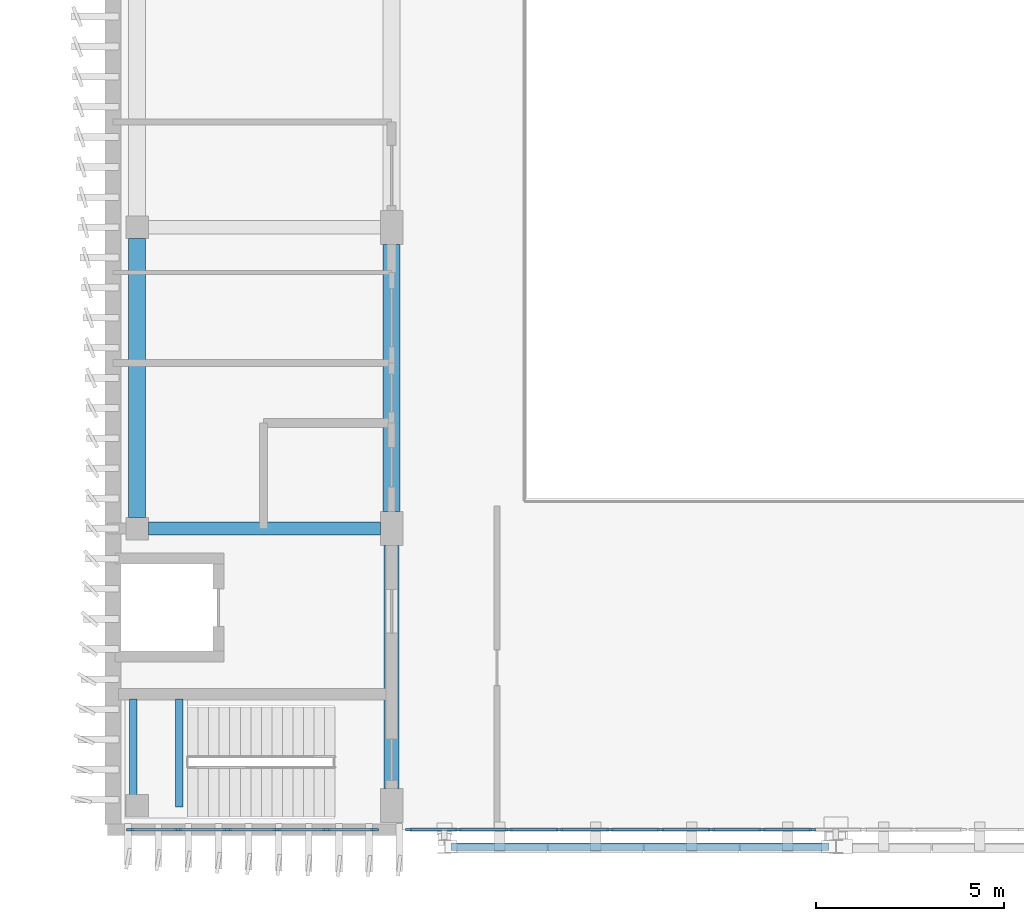
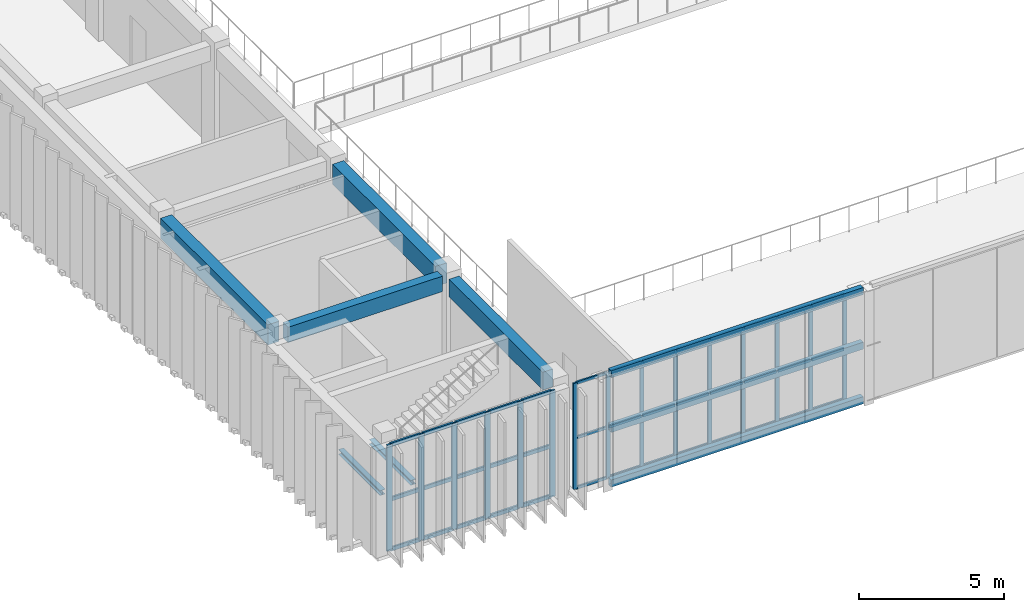
# One storey, part 4 of 64: 57 members, 6 beams, 2 elements without a shape of their own.
"""IFC4 building model written with IfcOpenShell, lengths in metres."""

import ifcopenshell
import ifcopenshell.guid

model = None  # the IFC model being written
_history = None  # IfcOwnerHistory: only IFC2X3 demands one
_inside = {}  # id of a spatial element -> (the spatial element, [elements in it])
_under = {}  # id of a project, library or spatial element -> (it, [spatial elements below it])
_declared = {}  # id of a project -> (the project, [libraries it declares])
_typed = {}  # id of a type object -> (the type object, [elements of that type])
_made_of = {}  # id of a material, layer set ... -> (it, [elements and type objects made of it])


def new_model(schema):
    """Start an empty IFC model of exactly this schema.

    Asked for "IFC4X3", IfcOpenShell would pick the latest addendum, in which some entities
    have other attributes; the version numbers below select the first issue.
    IFC2X3 requires an IfcOwnerHistory on every rooted entity: one is made here for all.
    """
    global model, _history
    if schema == "IFC4X3":
        model = ifcopenshell.file(schema_version=(4, 3, 0, 0))
    else:
        model = ifcopenshell.file(schema=schema)
    _inside.clear()
    _under.clear()
    _declared.clear()
    _typed.clear()
    _made_of.clear()
    _history = None
    if model.schema == "IFC2X3":
        org = make("IfcOrganization", Name="unknown")
        user = make(
            "IfcPersonAndOrganization",
            ThePerson=make("IfcPerson", FamilyName="unknown"),
            TheOrganization=org,
        )
        app = make(
            "IfcApplication",
            ApplicationDeveloper=org,
            Version="unknown",
            ApplicationFullName="unknown",
            ApplicationIdentifier="unknown",
        )
        _history = make(
            "IfcOwnerHistory",
            OwningUser=user,
            OwningApplication=app,
            ChangeAction="ADDED",
            CreationDate=0,
        )
    return model


def make(cls, **values):
    """One entity of the class cls with the attributes given. An attribute that is None is left unset."""
    return model.create_entity(
        cls, **{name: value for name, value in values.items() if value is not None}
    )


def rooted(cls, **values):
    """An entity with a GlobalId (a new one), such as an element, a storey or a relation."""
    return make(cls, GlobalId=ifcopenshell.guid.new(), OwnerHistory=_history, **values)


def si_unit(unit_type, name, prefix=None):
    """IfcSIUnit, for example si_unit("LENGTHUNIT", "METRE", prefix="MILLI")."""
    return make("IfcSIUnit", UnitType=unit_type, Prefix=prefix, Name=name)


def assignment(units):
    """IfcUnitAssignment: the units of a project."""
    return None if units is None else make("IfcUnitAssignment", Units=units)


def point(xyz):
    """IfcCartesianPoint."""
    return None if xyz is None else make("IfcCartesianPoint", Coordinates=xyz)


def direction(xyz):
    """IfcDirection."""
    return None if xyz is None else make("IfcDirection", DirectionRatios=xyz)


def frame(location, z_axis=None, x_axis=None):
    """IfcAxis2Placement3D, a coordinate frame: its origin and axes. An axis left out is left unset."""
    return make(
        "IfcAxis2Placement3D",
        Location=point(location),
        Axis=direction(z_axis),
        RefDirection=direction(x_axis),
    )


def frame_2d(location, x_axis=None):
    """IfcAxis2Placement2D, a coordinate frame in the plane: its origin and x axis."""
    return make(
        "IfcAxis2Placement2D", Location=point(location), RefDirection=direction(x_axis)
    )


def origin():
    """The frame at (0, 0, 0) with its axes left unset."""
    return frame((0.0, 0.0, 0.0))


def origin_2d():
    """The frame at (0, 0) in the plane with its x axis left unset."""
    return frame_2d((0.0, 0.0))


def place(relative_to, where):
    """IfcLocalPlacement: puts the frame where relative to a parent placement (None: the world)."""
    return make(
        "IfcLocalPlacement", PlacementRelTo=relative_to, RelativePlacement=where
    )


def context(
    kind, dimensions, precision=None, world=None, true_north=None, identifier=None
):
    """IfcGeometricRepresentationContext, for example the 3D "Model" context."""
    return make(
        "IfcGeometricRepresentationContext",
        ContextIdentifier=identifier,
        ContextType=kind,
        CoordinateSpaceDimension=dimensions,
        Precision=precision,
        WorldCoordinateSystem=world,
        TrueNorth=true_north,
    )


def subcontext(parent, identifier, kind, view, scale=None):
    """IfcGeometricRepresentationSubContext, for example "Body" below "Model"."""
    return make(
        "IfcGeometricRepresentationSubContext",
        ContextIdentifier=identifier,
        ContextType=kind,
        ParentContext=parent,
        TargetScale=scale,
        TargetView=view,
    )


def project(units=None, contexts=None):
    """IfcProject with its units and contexts."""
    return rooted(
        "IfcProject",
        Name="project",
        RepresentationContexts=contexts,
        UnitsInContext=assignment(units),
    )


def spatial(cls, under=None, at=None, **own):
    """A site, building, storey or space (cls), placed at a placement, below another one or the project."""
    s = rooted(cls, ObjectPlacement=at, **own)
    if under is not None:
        _under.setdefault(under.id(), (under, []))[1].append(s)
    return s


def profile(cls, at=None, kind="AREA", **sizes):
    """A parametric profile (cls). Its sizes go by their IFC names, for example OverallWidth=200.0."""
    return make(cls, ProfileType=kind, Position=at, **sizes)


def rectangle(**sizes):
    """IfcRectangleProfileDef."""
    return profile("IfcRectangleProfileDef", **sizes)


def hollow_rectangle(**sizes):
    """IfcRectangleHollowProfileDef."""
    return profile("IfcRectangleHollowProfileDef", **sizes)


def i_section(**sizes):
    """IfcIShapeProfileDef."""
    return profile("IfcIShapeProfileDef", **sizes)


def extrude(swept, where, along, depth):
    """IfcExtrudedAreaSolid: the profile swept, set in the frame where, extruded along a direction by depth."""
    return make(
        "IfcExtrudedAreaSolid",
        SweptArea=swept,
        Position=where,
        ExtrudedDirection=direction(along),
        Depth=depth,
    )


def shape(context_of_items, identifier, shape_type, items):
    """IfcShapeRepresentation: the items that make up one representation, for example the "Body"."""
    return make(
        "IfcShapeRepresentation",
        ContextOfItems=context_of_items,
        RepresentationIdentifier=identifier,
        RepresentationType=shape_type,
        Items=items,
    )


def material(Name=None, Category=None):
    """IfcMaterial."""
    return make("IfcMaterial", Name=Name, Category=Category)


def layer(
    of_material, thickness, ventilated=None, Name=None, Category=None, Priority=None
):
    """IfcMaterialLayer: one layer of a wall or slab, of a material (None: an air gap)."""
    return make(
        "IfcMaterialLayer",
        Material=of_material,
        LayerThickness=thickness,
        IsVentilated=ventilated,
        Name=Name,
        Category=Category,
        Priority=Priority,
    )


def layer_set(layers, Name=None):
    """IfcMaterialLayerSet."""
    return make("IfcMaterialLayerSet", MaterialLayers=layers, LayerSetName=Name)


def material_profile(
    of_material, cross_section, Name=None, Category=None, Priority=None
):
    """IfcMaterialProfile: a cross section and its material."""
    return make(
        "IfcMaterialProfile",
        Name=Name,
        Material=of_material,
        Profile=cross_section,
        Priority=Priority,
        Category=Category,
    )


def profile_set(profiles, Name=None, composite=None):
    """IfcMaterialProfileSet."""
    return make(
        "IfcMaterialProfileSet",
        Name=Name,
        MaterialProfiles=profiles,
        CompositeProfile=composite,
    )


def made_of(thing, what):
    """Note that an element or type object is made of a material, layer set ...; save() writes the relation."""
    if what is not None:
        _made_of.setdefault(what.id(), (what, []))[1].append(thing)
    return thing


def type_object(cls, material=None, **own):
    """A type object (cls), such as IfcWallType, which elements share."""
    return made_of(rooted(cls, **own), material)


def element(
    cls,
    number,
    at=None,
    inside=None,
    cuts=None,
    type_object=None,
    material=None,
    context=None,
    identifier="Body",
    shape_type=None,
    held_by="IfcProductDefinitionShape",
    body=None,
    shapes=None,
    **own,
):
    """One element of the class cls, such as IfcWall. Its Tag is "e" and its number.

    at: its placement. inside: the storey or other place that contains it. cuts: it is an
    opening in that element (IfcRelVoidsElement). A single representation is given by context,
    identifier, shape_type and body (its items); several are given by shapes. held_by: the class
    of the entity that holds the representations. save() writes the other relations.
    """
    e = rooted(cls, Tag="e%d" % number, ObjectPlacement=at, **own)
    if body is not None:
        shapes = [shape(context, identifier, shape_type, body)]
    if shapes is not None:
        e.Representation = make(held_by, Representations=shapes)
    if inside is not None:
        _inside.setdefault(inside.id(), (inside, []))[1].append(e)
    if cuts is not None:
        rooted(
            "IfcRelVoidsElement", RelatingBuildingElement=cuts, RelatedOpeningElement=e
        )
    if type_object is not None:
        _typed.setdefault(type_object.id(), (type_object, []))[1].append(e)
    return made_of(e, material)


def aggregate(whole, parts):
    """IfcRelAggregates: a whole, such as a stair, and the parts it consists of."""
    return rooted("IfcRelAggregates", RelatingObject=whole, RelatedObjects=parts)


def save(model, path):
    """Write the relations noted so far, then the file.

    IfcRelAggregates (storeys below a building ...), IfcRelContainedInSpatialStructure (elements
    in a storey), IfcRelDefinesByType, IfcRelAssociatesMaterial and IfcRelDeclares: one each for
    every whole, place, type object, material and project.
    """
    for whole, parts in _under.values():
        aggregate(whole, parts)
    for where, things in _inside.values():
        rooted(
            "IfcRelContainedInSpatialStructure",
            RelatedElements=things,
            RelatingStructure=where,
        )
    for kind, things in _typed.values():
        rooted("IfcRelDefinesByType", RelatedObjects=things, RelatingType=kind)
    for what, things in _made_of.values():
        rooted("IfcRelAssociatesMaterial", RelatedObjects=things, RelatingMaterial=what)
    for by, libraries in _declared.values():
        rooted("IfcRelDeclares", RelatingContext=by, RelatedDefinitions=libraries)
    model.write(path)


model = new_model("IFC4")

# Units and contexts
model_context = context("Model", 3, precision=1e-05, world=origin(), true_north=direction((0.0, 1.0)))
body_context = subcontext(model_context, "Body", "Model", "MODEL_VIEW")
ifc_project = project(units=[si_unit("LENGTHUNIT", "METRE"), si_unit("AREAUNIT", "SQUARE_METRE"), si_unit("VOLUMEUNIT", "CUBIC_METRE"), si_unit("PLANEANGLEUNIT", "RADIAN"), si_unit("MASSUNIT", "GRAM", prefix="KILO")], contexts=[model_context])

# Site, building, storey
site_placement = place(None, origin())
site = spatial("IfcSite", under=ifc_project, at=site_placement, CompositionType="ELEMENT")
building_placement = place(site_placement, origin())
building = spatial("IfcBuilding", under=site, at=building_placement, Name="Cinchona Park Media Centre", CompositionType="ELEMENT")
storey_placement = place(building_placement, frame((0.0, 0.0, 5.39990234375)))
storey = spatial("IfcBuildingStorey", under=building, at=storey_placement, Name="L01", CompositionType="ELEMENT", Elevation=5.39990234375)

# Beams
ifc_material_1 = material(Name="Concrete C35/45", Category="concrete")
ifc_material_profile_1 = material_profile(ifc_material_1, rectangle(XDim=0.39990234375, YDim=0.75, at=origin_2d()), Name="RB 400X750")
ifc_profile_set_1 = profile_set([ifc_material_profile_1], Name="Concrete C35/45")
beam_type_1 = type_object("IfcBeamType", Name="BEAM-B01-RB400X750", PredefinedType="BEAM", material=ifc_profile_set_1)
beam_1_placement = place(storey_placement, frame((15.39990234375, 8.68994140625, 4.14501953125), z_axis=(0.0, 1.0, 0.0), x_axis=(-1.0, 0.0, 0.0)))
element("IfcBeam", 1, at=beam_1_placement, inside=storey, type_object=beam_type_1, Name="Girder B01 L01", PredefinedType="BEAM", context=body_context, shape_type="SweptSolid", body=[
    extrude(rectangle(XDim=0.39990234375, YDim=0.75, at=origin_2d()), origin(), (0.0, 0.0, 1.0), 6.4599609375),
])
ifc_material_2 = material(Name="Concrete C35/45", Category="concrete")
ifc_material_profile_2 = material_profile(ifc_material_2, rectangle(XDim=0.449951171875, YDim=0.85009765625, at=origin_2d()), Name="RB 450X850")
ifc_profile_set_2 = profile_set([ifc_material_profile_2], Name="Concrete C35/45")
beam_type_2 = type_object("IfcBeamType", Name="BEAM-B02-RB450X850", PredefinedType="BEAM", material=ifc_profile_set_2)
beam_2_placement = place(storey_placement, frame((8.639892578125, 15.89990234375, 4.09521484375), z_axis=(0.0, 1.0, 0.0), x_axis=(-1.0, 0.0, 0.0)))
element("IfcBeam", 2, at=beam_2_placement, inside=storey, type_object=beam_type_2, Name="Girder B02 L01", PredefinedType="BEAM", context=body_context, shape_type="SweptSolid", body=[
    extrude(rectangle(XDim=0.449951171875, YDim=0.85009765625, at=origin_2d()), origin(), (0.0, 0.0, 1.0), 7.400146484375),
])
beam_3_placement = place(storey_placement, frame((15.39990234375, 16.050048828125, 4.09521484375), z_axis=(0.0, 1.0, 0.0), x_axis=(-1.0, 0.0, 0.0)))
element("IfcBeam", 3, at=beam_3_placement, inside=storey, type_object=beam_type_2, Name="Girder B02 L01", PredefinedType="BEAM", context=body_context, shape_type="SweptSolid", body=[
    extrude(rectangle(XDim=0.449951171875, YDim=0.85009765625, at=origin_2d()), origin(), (0.0, 0.0, 1.0), 7.099853515625),
])
ifc_material_3 = material(Name="Concrete C35/45", Category="concrete")
ifc_material_profile_3 = material_profile(ifc_material_3, rectangle(XDim=0.35009765625, YDim=0.64990234375, at=origin_2d()), Name="RB 350X650")
ifc_profile_set_3 = profile_set([ifc_material_profile_3], Name="Concrete C35/45")
beam_type_3 = type_object("IfcBeamType", Name="BEAM-B04-RB350X650", PredefinedType="BEAM", material=ifc_profile_set_3)
beam_4_placement = place(storey_placement, frame((8.93994140625, 15.60009765625, 4.195068359375), z_axis=(1.0, 0.0, 0.0), x_axis=(0.0, 1.0, 0.0)))
element("IfcBeam", 4, at=beam_4_placement, inside=storey, type_object=beam_type_3, Name="Beam B04 L01", PredefinedType="BEAM", context=body_context, shape_type="SweptSolid", body=[
    extrude(rectangle(XDim=0.35009765625, YDim=0.64990234375, at=origin_2d()), origin(), (0.0, 0.0, 1.0), 6.16015625),
])
ifc_material_4 = material(Name="Steel S355", Category="steel")
ifc_material_profile_4 = material_profile(ifc_material_4, i_section(OverallWidth=0.202880859375, OverallDepth=0.202880859375, WebThickness=0.007080078125, FlangeThickness=0.010986328125, at=origin_2d()), Name="W200X46")
ifc_profile_set_4 = profile_set([ifc_material_profile_4], Name="Steel S355")
beam_type_4 = type_object("IfcBeamType", Name="BEAM-B10-W200X46", PredefinedType="BEAM", material=ifc_profile_set_4)
for number, where, z_axis, x_axis, name in (
    (5, (8.5400390625, 11.070068359375, 2.093505859375), (0.0, -1.0, 0.0), (1.0, 0.0, 0.0), "Stair Landing Bearer Beam B10 ST6 L01"),
    (6, (9.760009765625, 11.070068359375, 2.093505859375), (0.0, -1.0, 0.0), (1.0, 0.0, 0.0), "Stair Landing Bearer Beam B10 ST6 L01"),
):
    element("IfcBeam", number, at=place(storey_placement, frame(where, z_axis=z_axis, x_axis=x_axis)), inside=storey, type_object=beam_type_4, Name=name, PredefinedType="BEAM", context=body_context, shape_type="SweptSolid", body=[
        extrude(i_section(OverallWidth=0.202880859375, OverallDepth=0.202880859375, WebThickness=0.007080078125, FlangeThickness=0.010986328125, at=origin_2d()), origin(), (0.0, 0.0, 1.0), 2.8701171875),
    ])

# Members
ifc_material_5 = material(Name="Steel S355", Category="steel")
ifc_material_profile_5 = material_profile(ifc_material_5, hollow_rectangle(XDim=0.199951171875, YDim=0.300048828125, WallThickness=0.01611328125, at=origin_2d()), Name="300X200X16RHS")
ifc_profile_set_5 = profile_set([ifc_material_profile_5], Name="Steel S355")
member_type_1 = type_object("IfcMemberType", Name="MEMBER-TS05-RHS300X200X16", PredefinedType="STRUT", material=ifc_profile_set_5)
for number, where, z_axis, x_axis, name in (
    (7, (16.97998046875, 7.14990234375, 0.2001953125), (1.0, 0.0, 0.0), (0.0, 1.0, 0.0), "Entrance Screen Portal Member TS05 L01"),
    (8, (16.97998046875, 7.14990234375, 2.5), (1.0, 0.0, 0.0), (0.0, 1.0, 0.0), "Entrance Screen Portal Member TS05 L01"),
    (9, (16.97998046875, 7.14990234375, 4.800048828125), (1.0, 0.0, 0.0), (0.0, 1.0, 0.0), "Entrance Screen Portal Member TS05 L01"),
):
    element("IfcMember", number, at=place(storey_placement, frame(where, z_axis=z_axis, x_axis=x_axis)), inside=storey, type_object=member_type_1, Name=name, PredefinedType="STRUT", context=body_context, shape_type="SweptSolid", body=[
        extrude(hollow_rectangle(XDim=0.199951171875, YDim=0.300048828125, WallThickness=0.01611328125, at=origin_2d()), origin(), (0.0, 0.0, 1.0), 10.0400390625),
    ])

# Curtain wall, members
ifc_material_6 = material(Name="Aluminium Curtain Wall Framing", Category="aluminium")
ifc_layer_1 = layer(ifc_material_6, 0.239990234375)
ifc_layer_set_1 = layer_set([ifc_layer_1], Name="Aluminium Curtain Wall Framing")
curtain_wall_type_1 = type_object("IfcCurtainWallType", Name="CW-CW05", PredefinedType="USERDEFINED", material=ifc_layer_set_1)
curtain_wall_1_placement = place(storey_placement, origin())
curtain_wall_1 = element("IfcCurtainWall", 10, at=curtain_wall_1_placement, inside=storey, type_object=curtain_wall_type_1, Name="Curtain Wall CW05 L01", ObjectType="UNITISED CURTAIN WALL", PredefinedType="USERDEFINED")
ifc_material_7 = material(Name="Anodised Aluminium Alloy 6063-T6", Category="aluminium")
ifc_material_profile_6 = material_profile(ifc_material_7, rectangle(XDim=0.06494140625, YDim=0.159912109375, at=origin_2d()), Name="MUL-65X160")
ifc_profile_set_6 = profile_set([ifc_material_profile_6], Name="Anodised Aluminium Alloy 6063-T6")
member_type_2 = type_object("IfcMemberType", Name="MULLION-MUL01", PredefinedType="MULLION", material=ifc_profile_set_6)
member_1_placement = place(storey_placement, frame((26.583740234375, 7.60009765625, 0.050048828125), z_axis=(0.0, 0.0, 1.0), x_axis=(0.0, -1.0, 0.0)))
member_1 = element("IfcMember", 11, at=member_1_placement, type_object=member_type_2, Name="CW05 mullion 4", PredefinedType="MULLION", context=body_context, shape_type="SweptSolid", body=[
    extrude(rectangle(XDim=0.06494140625, YDim=0.159912109375, at=origin_2d()), origin(), (0.0, 0.0, 1.0), 4.469970703125),
])
member_2_placement = place(storey_placement, frame((25.23828125, 7.60009765625, 0.050048828125), z_axis=(0.0, 0.0, 1.0), x_axis=(0.0, -1.0, 0.0)))
member_2 = element("IfcMember", 12, at=member_2_placement, type_object=member_type_2, Name="CW05 mullion 5", PredefinedType="MULLION", context=body_context, shape_type="SweptSolid", body=[
    extrude(rectangle(XDim=0.06494140625, YDim=0.159912109375, at=origin_2d()), origin(), (0.0, 0.0, 1.0), 4.469970703125),
])
member_3_placement = place(storey_placement, frame((23.892822265625, 7.60009765625, 0.050048828125), z_axis=(0.0, 0.0, 1.0), x_axis=(0.0, -1.0, 0.0)))
member_3 = element("IfcMember", 13, at=member_3_placement, type_object=member_type_2, Name="CW05 mullion 6", PredefinedType="MULLION", context=body_context, shape_type="SweptSolid", body=[
    extrude(rectangle(XDim=0.06494140625, YDim=0.159912109375, at=origin_2d()), origin(), (0.0, 0.0, 1.0), 4.469970703125),
])
member_4_placement = place(storey_placement, frame((22.54736328125, 7.60009765625, 0.050048828125), z_axis=(0.0, 0.0, 1.0), x_axis=(0.0, -1.0, 0.0)))
member_4 = element("IfcMember", 14, at=member_4_placement, type_object=member_type_2, Name="CW05 mullion 7", PredefinedType="MULLION", context=body_context, shape_type="SweptSolid", body=[
    extrude(rectangle(XDim=0.06494140625, YDim=0.159912109375, at=origin_2d()), origin(), (0.0, 0.0, 1.0), 4.469970703125),
])
member_5_placement = place(storey_placement, frame((21.201904296875, 7.60009765625, 0.050048828125), z_axis=(0.0, 0.0, 1.0), x_axis=(0.0, -1.0, 0.0)))
member_5 = element("IfcMember", 15, at=member_5_placement, type_object=member_type_2, Name="CW05 mullion 8", PredefinedType="MULLION", context=body_context, shape_type="SweptSolid", body=[
    extrude(rectangle(XDim=0.06494140625, YDim=0.159912109375, at=origin_2d()), origin(), (0.0, 0.0, 1.0), 4.469970703125),
])
member_6_placement = place(storey_placement, frame((19.8564453125, 7.60009765625, 0.050048828125), z_axis=(0.0, 0.0, 1.0), x_axis=(0.0, -1.0, 0.0)))
member_6 = element("IfcMember", 16, at=member_6_placement, type_object=member_type_2, Name="CW05 mullion 9", PredefinedType="MULLION", context=body_context, shape_type="SweptSolid", body=[
    extrude(rectangle(XDim=0.06494140625, YDim=0.159912109375, at=origin_2d()), origin(), (0.0, 0.0, 1.0), 4.469970703125),
])
member_7_placement = place(storey_placement, frame((18.510986328125, 7.60009765625, 0.050048828125), z_axis=(0.0, 0.0, 1.0), x_axis=(0.0, -1.0, 0.0)))
member_7 = element("IfcMember", 17, at=member_7_placement, type_object=member_type_2, Name="CW05 mullion 10", PredefinedType="MULLION", context=body_context, shape_type="SweptSolid", body=[
    extrude(rectangle(XDim=0.06494140625, YDim=0.159912109375, at=origin_2d()), origin(), (0.0, 0.0, 1.0), 4.469970703125),
])
member_8_placement = place(storey_placement, frame((17.16552734375, 7.60009765625, 0.050048828125), z_axis=(0.0, 0.0, 1.0), x_axis=(0.0, -1.0, 0.0)))
member_8 = element("IfcMember", 18, at=member_8_placement, type_object=member_type_2, Name="CW05 mullion 11", PredefinedType="MULLION", context=body_context, shape_type="SweptSolid", body=[
    extrude(rectangle(XDim=0.06494140625, YDim=0.159912109375, at=origin_2d()), origin(), (0.0, 0.0, 1.0), 4.469970703125),
])
member_9_placement = place(storey_placement, frame((15.8525390625, 7.60009765625, 0.050048828125), z_axis=(0.0, 0.0, 1.0), x_axis=(0.0, -1.0, 0.0)))
member_9 = element("IfcMember", 19, at=member_9_placement, type_object=member_type_2, Name="CW05 mullion 12", PredefinedType="MULLION", context=body_context, shape_type="SweptSolid", body=[
    extrude(rectangle(XDim=0.06494140625, YDim=0.159912109375, at=origin_2d()), origin(), (0.0, 0.0, 1.0), 4.469970703125),
])

ifc_material_8 = material(Name="Aluminium Curtain Wall Framing", Category="aluminium")
ifc_layer_2 = layer(ifc_material_8, 0.2099609375)
ifc_layer_set_2 = layer_set([ifc_layer_2], Name="Aluminium Curtain Wall Framing")
curtain_wall_type_2 = type_object("IfcCurtainWallType", Name="CW-CW03", PredefinedType="USERDEFINED", material=ifc_layer_set_2)
curtain_wall_2_placement = place(storey_placement, origin())
curtain_wall_2 = element("IfcCurtainWall", 20, at=curtain_wall_2_placement, inside=storey, type_object=curtain_wall_type_2, Name="Curtain Wall CW03 L01", ObjectType="UNITISED CURTAIN WALL", PredefinedType="USERDEFINED")
ifc_material_9 = material(Name="Anodised Aluminium Alloy 6063-T6", Category="aluminium")
ifc_material_profile_7 = material_profile(ifc_material_9, rectangle(XDim=0.074951171875, YDim=0.2099609375, at=origin_2d()), Name="MUL-75X210")
ifc_profile_set_7 = profile_set([ifc_material_profile_7], Name="Anodised Aluminium Alloy 6063-T6")
member_type_3 = type_object("IfcMemberType", Name="MULLION-MUL03", PredefinedType="MULLION", material=ifc_profile_set_7)
member_10_placement = place(storey_placement, frame((14.9423828125, 7.60009765625, 0.050048828125), z_axis=(0.0, 0.0, 1.0), x_axis=(0.0, -1.0, 0.0)))
member_10 = element("IfcMember", 21, at=member_10_placement, type_object=member_type_3, Name="CW03 mullion 1", PredefinedType="MULLION", context=body_context, shape_type="SweptSolid", body=[
    extrude(rectangle(XDim=0.074951171875, YDim=0.2099609375, at=origin_2d()), origin(), (0.0, 0.0, 1.0), 4.469970703125),
])
member_11_placement = place(storey_placement, frame((13.66796875, 7.60009765625, 0.050048828125), z_axis=(0.0, 0.0, 1.0), x_axis=(0.0, -1.0, 0.0)))
member_11 = element("IfcMember", 22, at=member_11_placement, type_object=member_type_3, Name="CW03 mullion 2", PredefinedType="MULLION", context=body_context, shape_type="SweptSolid", body=[
    extrude(rectangle(XDim=0.074951171875, YDim=0.2099609375, at=origin_2d()), origin(), (0.0, 0.0, 1.0), 4.469970703125),
])
member_12_placement = place(storey_placement, frame((12.35595703125, 7.60009765625, 0.050048828125), z_axis=(0.0, 0.0, 1.0), x_axis=(0.0, -1.0, 0.0)))
member_12 = element("IfcMember", 23, at=member_12_placement, type_object=member_type_3, Name="CW03 mullion 3", PredefinedType="MULLION", context=body_context, shape_type="SweptSolid", body=[
    extrude(rectangle(XDim=0.074951171875, YDim=0.2099609375, at=origin_2d()), origin(), (0.0, 0.0, 1.0), 4.469970703125),
])
member_13_placement = place(storey_placement, frame((11.0439453125, 7.60009765625, 0.050048828125), z_axis=(0.0, 0.0, 1.0), x_axis=(0.0, -1.0, 0.0)))
member_13 = element("IfcMember", 24, at=member_13_placement, type_object=member_type_3, Name="CW03 mullion 4", PredefinedType="MULLION", context=body_context, shape_type="SweptSolid", body=[
    extrude(rectangle(XDim=0.074951171875, YDim=0.2099609375, at=origin_2d()), origin(), (0.0, 0.0, 1.0), 4.469970703125),
])
member_14_placement = place(storey_placement, frame((9.73193359375, 7.60009765625, 0.050048828125), z_axis=(0.0, 0.0, 1.0), x_axis=(0.0, -1.0, 0.0)))
member_14 = element("IfcMember", 25, at=member_14_placement, type_object=member_type_3, Name="CW03 mullion 5", PredefinedType="MULLION", context=body_context, shape_type="SweptSolid", body=[
    extrude(rectangle(XDim=0.074951171875, YDim=0.2099609375, at=origin_2d()), origin(), (0.0, 0.0, 1.0), 4.469970703125),
])
member_15_placement = place(storey_placement, frame((8.45751953125, 7.60009765625, 0.050048828125), z_axis=(0.0, 0.0, 1.0), x_axis=(0.0, -1.0, 0.0)))
member_15 = element("IfcMember", 26, at=member_15_placement, type_object=member_type_3, Name="CW03 mullion 6", PredefinedType="MULLION", context=body_context, shape_type="SweptSolid", body=[
    extrude(rectangle(XDim=0.074951171875, YDim=0.2099609375, at=origin_2d()), origin(), (0.0, 0.0, 1.0), 4.469970703125),
])

# Member
ifc_material_10 = material(Name="Anodised Aluminium Alloy 6063-T6", Category="aluminium")
ifc_material_profile_8 = material_profile(ifc_material_10, rectangle(XDim=0.06494140625, YDim=0.1201171875, at=origin_2d()), Name="TRN-65X120")
ifc_profile_set_8 = profile_set([ifc_material_profile_8], Name="Anodised Aluminium Alloy 6063-T6")
member_type_4 = type_object("IfcMemberType", Name="TRANSOM-TRN01", PredefinedType="USERDEFINED", material=ifc_profile_set_8)
member_16_placement = place(storey_placement, frame((26.551025390625, 7.60009765625, 0.08251953125), z_axis=(-1.0, 0.0, 0.0), x_axis=(0.0, -1.0, 0.0)))
member_16 = element("IfcMember", 27, at=member_16_placement, type_object=member_type_4, Name="CW05 transom 4.1", ObjectType="TRANSOM", PredefinedType="USERDEFINED", context=body_context, shape_type="SweptSolid", body=[
    extrude(rectangle(XDim=0.06494140625, YDim=0.1201171875, at=origin_2d()), origin(), (0.0, 0.0, 1.0), 1.2802734375),
])

member_17_placement = place(storey_placement, frame((26.551025390625, 7.60009765625, 2.196044921875), z_axis=(-1.0, 0.0, 0.0), x_axis=(0.0, -1.0, 0.0)))
member_17 = element("IfcMember", 28, at=member_17_placement, type_object=member_type_4, Name="CW05 transom 4.2", ObjectType="TRANSOM", PredefinedType="USERDEFINED", context=body_context, shape_type="SweptSolid", body=[
    extrude(rectangle(XDim=0.06494140625, YDim=0.1201171875, at=origin_2d()), origin(), (0.0, 0.0, 1.0), 1.2802734375),
])

member_18_placement = place(storey_placement, frame((26.551025390625, 7.60009765625, 4.487548828125), z_axis=(-1.0, 0.0, 0.0), x_axis=(0.0, -1.0, 0.0)))
member_18 = element("IfcMember", 29, at=member_18_placement, type_object=member_type_4, Name="CW05 transom 4.3", ObjectType="TRANSOM", PredefinedType="USERDEFINED", context=body_context, shape_type="SweptSolid", body=[
    extrude(rectangle(XDim=0.06494140625, YDim=0.1201171875, at=origin_2d()), origin(), (0.0, 0.0, 1.0), 1.2802734375),
])

member_19_placement = place(storey_placement, frame((25.20556640625, 7.60009765625, 0.08251953125), z_axis=(-1.0, 0.0, 0.0), x_axis=(0.0, -1.0, 0.0)))
member_19 = element("IfcMember", 30, at=member_19_placement, type_object=member_type_4, Name="CW05 transom 5.1", ObjectType="TRANSOM", PredefinedType="USERDEFINED", context=body_context, shape_type="SweptSolid", body=[
    extrude(rectangle(XDim=0.06494140625, YDim=0.1201171875, at=origin_2d()), origin(), (0.0, 0.0, 1.0), 1.2802734375),
])

member_20_placement = place(storey_placement, frame((25.20556640625, 7.60009765625, 2.196044921875), z_axis=(-1.0, 0.0, 0.0), x_axis=(0.0, -1.0, 0.0)))
member_20 = element("IfcMember", 31, at=member_20_placement, type_object=member_type_4, Name="CW05 transom 5.2", ObjectType="TRANSOM", PredefinedType="USERDEFINED", context=body_context, shape_type="SweptSolid", body=[
    extrude(rectangle(XDim=0.06494140625, YDim=0.1201171875, at=origin_2d()), origin(), (0.0, 0.0, 1.0), 1.2802734375),
])

member_21_placement = place(storey_placement, frame((25.20556640625, 7.60009765625, 4.487548828125), z_axis=(-1.0, 0.0, 0.0), x_axis=(0.0, -1.0, 0.0)))
member_21 = element("IfcMember", 32, at=member_21_placement, type_object=member_type_4, Name="CW05 transom 5.3", ObjectType="TRANSOM", PredefinedType="USERDEFINED", context=body_context, shape_type="SweptSolid", body=[
    extrude(rectangle(XDim=0.06494140625, YDim=0.1201171875, at=origin_2d()), origin(), (0.0, 0.0, 1.0), 1.2802734375),
])

member_22_placement = place(storey_placement, frame((23.860107421875, 7.60009765625, 0.08251953125), z_axis=(-1.0, 0.0, 0.0), x_axis=(0.0, -1.0, 0.0)))
member_22 = element("IfcMember", 33, at=member_22_placement, type_object=member_type_4, Name="CW05 transom 6.1", ObjectType="TRANSOM", PredefinedType="USERDEFINED", context=body_context, shape_type="SweptSolid", body=[
    extrude(rectangle(XDim=0.06494140625, YDim=0.1201171875, at=origin_2d()), origin(), (0.0, 0.0, 1.0), 1.2802734375),
])

member_23_placement = place(storey_placement, frame((23.860107421875, 7.60009765625, 2.196044921875), z_axis=(-1.0, 0.0, 0.0), x_axis=(0.0, -1.0, 0.0)))
member_23 = element("IfcMember", 34, at=member_23_placement, type_object=member_type_4, Name="CW05 transom 6.2", ObjectType="TRANSOM", PredefinedType="USERDEFINED", context=body_context, shape_type="SweptSolid", body=[
    extrude(rectangle(XDim=0.06494140625, YDim=0.1201171875, at=origin_2d()), origin(), (0.0, 0.0, 1.0), 1.2802734375),
])

member_24_placement = place(storey_placement, frame((23.860107421875, 7.60009765625, 4.487548828125), z_axis=(-1.0, 0.0, 0.0), x_axis=(0.0, -1.0, 0.0)))
member_24 = element("IfcMember", 35, at=member_24_placement, type_object=member_type_4, Name="CW05 transom 6.3", ObjectType="TRANSOM", PredefinedType="USERDEFINED", context=body_context, shape_type="SweptSolid", body=[
    extrude(rectangle(XDim=0.06494140625, YDim=0.1201171875, at=origin_2d()), origin(), (0.0, 0.0, 1.0), 1.2802734375),
])

member_25_placement = place(storey_placement, frame((22.514892578125, 7.60009765625, 0.08251953125), z_axis=(-1.0, 0.0, 0.0), x_axis=(0.0, -1.0, 0.0)))
member_25 = element("IfcMember", 36, at=member_25_placement, type_object=member_type_4, Name="CW05 transom 7.1", ObjectType="TRANSOM", PredefinedType="USERDEFINED", context=body_context, shape_type="SweptSolid", body=[
    extrude(rectangle(XDim=0.06494140625, YDim=0.1201171875, at=origin_2d()), origin(), (0.0, 0.0, 1.0), 1.280517578125),
])

member_26_placement = place(storey_placement, frame((22.514892578125, 7.60009765625, 2.196044921875), z_axis=(-1.0, 0.0, 0.0), x_axis=(0.0, -1.0, 0.0)))
member_26 = element("IfcMember", 37, at=member_26_placement, type_object=member_type_4, Name="CW05 transom 7.2", ObjectType="TRANSOM", PredefinedType="USERDEFINED", context=body_context, shape_type="SweptSolid", body=[
    extrude(rectangle(XDim=0.06494140625, YDim=0.1201171875, at=origin_2d()), origin(), (0.0, 0.0, 1.0), 1.280517578125),
])

member_27_placement = place(storey_placement, frame((22.514892578125, 7.60009765625, 4.487548828125), z_axis=(-1.0, 0.0, 0.0), x_axis=(0.0, -1.0, 0.0)))
member_27 = element("IfcMember", 38, at=member_27_placement, type_object=member_type_4, Name="CW05 transom 7.3", ObjectType="TRANSOM", PredefinedType="USERDEFINED", context=body_context, shape_type="SweptSolid", body=[
    extrude(rectangle(XDim=0.06494140625, YDim=0.1201171875, at=origin_2d()), origin(), (0.0, 0.0, 1.0), 1.280517578125),
])

member_28_placement = place(storey_placement, frame((21.16943359375, 7.60009765625, 0.08251953125), z_axis=(-1.0, 0.0, 0.0), x_axis=(0.0, -1.0, 0.0)))
member_28 = element("IfcMember", 39, at=member_28_placement, type_object=member_type_4, Name="CW05 transom 8.1", ObjectType="TRANSOM", PredefinedType="USERDEFINED", context=body_context, shape_type="SweptSolid", body=[
    extrude(rectangle(XDim=0.06494140625, YDim=0.1201171875, at=origin_2d()), origin(), (0.0, 0.0, 1.0), 1.280517578125),
])

member_29_placement = place(storey_placement, frame((21.16943359375, 7.60009765625, 2.196044921875), z_axis=(-1.0, 0.0, 0.0), x_axis=(0.0, -1.0, 0.0)))
member_29 = element("IfcMember", 40, at=member_29_placement, type_object=member_type_4, Name="CW05 transom 8.2", ObjectType="TRANSOM", PredefinedType="USERDEFINED", context=body_context, shape_type="SweptSolid", body=[
    extrude(rectangle(XDim=0.06494140625, YDim=0.1201171875, at=origin_2d()), origin(), (0.0, 0.0, 1.0), 1.280517578125),
])

member_30_placement = place(storey_placement, frame((21.16943359375, 7.60009765625, 4.487548828125), z_axis=(-1.0, 0.0, 0.0), x_axis=(0.0, -1.0, 0.0)))
member_30 = element("IfcMember", 41, at=member_30_placement, type_object=member_type_4, Name="CW05 transom 8.3", ObjectType="TRANSOM", PredefinedType="USERDEFINED", context=body_context, shape_type="SweptSolid", body=[
    extrude(rectangle(XDim=0.06494140625, YDim=0.1201171875, at=origin_2d()), origin(), (0.0, 0.0, 1.0), 1.280517578125),
])

member_31_placement = place(storey_placement, frame((19.823974609375, 7.60009765625, 0.08251953125), z_axis=(-1.0, 0.0, 0.0), x_axis=(0.0, -1.0, 0.0)))
member_31 = element("IfcMember", 42, at=member_31_placement, type_object=member_type_4, Name="CW05 transom 9.1", ObjectType="TRANSOM", PredefinedType="USERDEFINED", context=body_context, shape_type="SweptSolid", body=[
    extrude(rectangle(XDim=0.06494140625, YDim=0.1201171875, at=origin_2d()), origin(), (0.0, 0.0, 1.0), 1.280517578125),
])

member_32_placement = place(storey_placement, frame((19.823974609375, 7.60009765625, 2.196044921875), z_axis=(-1.0, 0.0, 0.0), x_axis=(0.0, -1.0, 0.0)))
member_32 = element("IfcMember", 43, at=member_32_placement, type_object=member_type_4, Name="CW05 transom 9.2", ObjectType="TRANSOM", PredefinedType="USERDEFINED", context=body_context, shape_type="SweptSolid", body=[
    extrude(rectangle(XDim=0.06494140625, YDim=0.1201171875, at=origin_2d()), origin(), (0.0, 0.0, 1.0), 1.280517578125),
])

member_33_placement = place(storey_placement, frame((19.823974609375, 7.60009765625, 4.487548828125), z_axis=(-1.0, 0.0, 0.0), x_axis=(0.0, -1.0, 0.0)))
member_33 = element("IfcMember", 44, at=member_33_placement, type_object=member_type_4, Name="CW05 transom 9.3", ObjectType="TRANSOM", PredefinedType="USERDEFINED", context=body_context, shape_type="SweptSolid", body=[
    extrude(rectangle(XDim=0.06494140625, YDim=0.1201171875, at=origin_2d()), origin(), (0.0, 0.0, 1.0), 1.280517578125),
])

member_34_placement = place(storey_placement, frame((18.478515625, 7.60009765625, 0.08251953125), z_axis=(-1.0, 0.0, 0.0), x_axis=(0.0, -1.0, 0.0)))
member_34 = element("IfcMember", 45, at=member_34_placement, type_object=member_type_4, Name="CW05 transom 10.1", ObjectType="TRANSOM", PredefinedType="USERDEFINED", context=body_context, shape_type="SweptSolid", body=[
    extrude(rectangle(XDim=0.06494140625, YDim=0.1201171875, at=origin_2d()), origin(), (0.0, 0.0, 1.0), 1.280517578125),
])

member_35_placement = place(storey_placement, frame((18.478515625, 7.60009765625, 2.196044921875), z_axis=(-1.0, 0.0, 0.0), x_axis=(0.0, -1.0, 0.0)))
member_35 = element("IfcMember", 46, at=member_35_placement, type_object=member_type_4, Name="CW05 transom 10.2", ObjectType="TRANSOM", PredefinedType="USERDEFINED", context=body_context, shape_type="SweptSolid", body=[
    extrude(rectangle(XDim=0.06494140625, YDim=0.1201171875, at=origin_2d()), origin(), (0.0, 0.0, 1.0), 1.280517578125),
])

member_36_placement = place(storey_placement, frame((18.478515625, 7.60009765625, 4.487548828125), z_axis=(-1.0, 0.0, 0.0), x_axis=(0.0, -1.0, 0.0)))
member_36 = element("IfcMember", 47, at=member_36_placement, type_object=member_type_4, Name="CW05 transom 10.3", ObjectType="TRANSOM", PredefinedType="USERDEFINED", context=body_context, shape_type="SweptSolid", body=[
    extrude(rectangle(XDim=0.06494140625, YDim=0.1201171875, at=origin_2d()), origin(), (0.0, 0.0, 1.0), 1.280517578125),
])

member_37_placement = place(storey_placement, frame((17.133056640625, 7.60009765625, 0.08251953125), z_axis=(-1.0, 0.0, 0.0), x_axis=(0.0, -1.0, 0.0)))
member_37 = element("IfcMember", 48, at=member_37_placement, type_object=member_type_4, Name="CW05 transom 11.1", ObjectType="TRANSOM", PredefinedType="USERDEFINED", context=body_context, shape_type="SweptSolid", body=[
    extrude(rectangle(XDim=0.06494140625, YDim=0.1201171875, at=origin_2d()), origin(), (0.0, 0.0, 1.0), 1.248046875),
])

member_38_placement = place(storey_placement, frame((17.133056640625, 7.60009765625, 2.196044921875), z_axis=(-1.0, 0.0, 0.0), x_axis=(0.0, -1.0, 0.0)))
member_38 = element("IfcMember", 49, at=member_38_placement, type_object=member_type_4, Name="CW05 transom 11.2", ObjectType="TRANSOM", PredefinedType="USERDEFINED", context=body_context, shape_type="SweptSolid", body=[
    extrude(rectangle(XDim=0.06494140625, YDim=0.1201171875, at=origin_2d()), origin(), (0.0, 0.0, 1.0), 1.248046875),
])

member_39_placement = place(storey_placement, frame((17.133056640625, 7.60009765625, 4.487548828125), z_axis=(-1.0, 0.0, 0.0), x_axis=(0.0, -1.0, 0.0)))
member_39 = element("IfcMember", 50, at=member_39_placement, type_object=member_type_4, Name="CW05 transom 11.3", ObjectType="TRANSOM", PredefinedType="USERDEFINED", context=body_context, shape_type="SweptSolid", body=[
    extrude(rectangle(XDim=0.06494140625, YDim=0.1201171875, at=origin_2d()), origin(), (0.0, 0.0, 1.0), 1.248046875),
])

aggregate(curtain_wall_1, [member_1, member_2, member_3, member_4, member_5, member_6, member_7, member_8, member_9, member_16, member_17, member_18, member_19, member_20, member_21, member_22, member_23, member_24, member_25, member_26, member_27, member_28, member_29, member_30, member_31, member_32, member_33, member_34, member_35, member_36, member_37, member_38, member_39])

ifc_material_11 = material(Name="Anodised Aluminium Alloy 6063-T6", Category="aluminium")
ifc_material_profile_9 = material_profile(ifc_material_11, rectangle(XDim=0.074951171875, YDim=0.159912109375, at=origin_2d()), Name="TRN-75X160")
ifc_profile_set_9 = profile_set([ifc_material_profile_9], Name="Anodised Aluminium Alloy 6063-T6")
member_type_5 = type_object("IfcMemberType", Name="TRANSOM-TRN03", PredefinedType="USERDEFINED", material=ifc_profile_set_9)
member_40_placement = place(storey_placement, frame((14.905029296875, 7.60009765625, 0.087646484375), z_axis=(-1.0, 0.0, 0.0), x_axis=(0.0, -1.0, 0.0)))
member_40 = element("IfcMember", 51, at=member_40_placement, type_object=member_type_5, Name="CW03 transom 1.1", ObjectType="TRANSOM", PredefinedType="USERDEFINED", context=body_context, shape_type="SweptSolid", body=[
    extrude(rectangle(XDim=0.074951171875, YDim=0.159912109375, at=origin_2d()), origin(), (0.0, 0.0, 1.0), 1.199462890625),
])

member_41_placement = place(storey_placement, frame((14.905029296875, 7.60009765625, 2.196044921875), z_axis=(-1.0, 0.0, 0.0), x_axis=(0.0, -1.0, 0.0)))
member_41 = element("IfcMember", 52, at=member_41_placement, type_object=member_type_5, Name="CW03 transom 1.2", ObjectType="TRANSOM", PredefinedType="USERDEFINED", context=body_context, shape_type="SweptSolid", body=[
    extrude(rectangle(XDim=0.074951171875, YDim=0.159912109375, at=origin_2d()), origin(), (0.0, 0.0, 1.0), 1.199462890625),
])

member_42_placement = place(storey_placement, frame((14.905029296875, 7.60009765625, 4.482666015625), z_axis=(-1.0, 0.0, 0.0), x_axis=(0.0, -1.0, 0.0)))
member_42 = element("IfcMember", 53, at=member_42_placement, type_object=member_type_5, Name="CW03 transom 1.3", ObjectType="TRANSOM", PredefinedType="USERDEFINED", context=body_context, shape_type="SweptSolid", body=[
    extrude(rectangle(XDim=0.074951171875, YDim=0.159912109375, at=origin_2d()), origin(), (0.0, 0.0, 1.0), 1.199462890625),
])

member_43_placement = place(storey_placement, frame((13.630615234375, 7.60009765625, 0.087646484375), z_axis=(-1.0, 0.0, 0.0), x_axis=(0.0, -1.0, 0.0)))
member_43 = element("IfcMember", 54, at=member_43_placement, type_object=member_type_5, Name="CW03 transom 2.1", ObjectType="TRANSOM", PredefinedType="USERDEFINED", context=body_context, shape_type="SweptSolid", body=[
    extrude(rectangle(XDim=0.074951171875, YDim=0.159912109375, at=origin_2d()), origin(), (0.0, 0.0, 1.0), 1.237060546875),
])

member_44_placement = place(storey_placement, frame((13.630615234375, 7.60009765625, 2.196044921875), z_axis=(-1.0, 0.0, 0.0), x_axis=(0.0, -1.0, 0.0)))
member_44 = element("IfcMember", 55, at=member_44_placement, type_object=member_type_5, Name="CW03 transom 2.2", ObjectType="TRANSOM", PredefinedType="USERDEFINED", context=body_context, shape_type="SweptSolid", body=[
    extrude(rectangle(XDim=0.074951171875, YDim=0.159912109375, at=origin_2d()), origin(), (0.0, 0.0, 1.0), 1.237060546875),
])

member_45_placement = place(storey_placement, frame((13.630615234375, 7.60009765625, 4.482666015625), z_axis=(-1.0, 0.0, 0.0), x_axis=(0.0, -1.0, 0.0)))
member_45 = element("IfcMember", 56, at=member_45_placement, type_object=member_type_5, Name="CW03 transom 2.3", ObjectType="TRANSOM", PredefinedType="USERDEFINED", context=body_context, shape_type="SweptSolid", body=[
    extrude(rectangle(XDim=0.074951171875, YDim=0.159912109375, at=origin_2d()), origin(), (0.0, 0.0, 1.0), 1.237060546875),
])

member_46_placement = place(storey_placement, frame((12.318603515625, 7.60009765625, 0.087646484375), z_axis=(-1.0, 0.0, 0.0), x_axis=(0.0, -1.0, 0.0)))
member_46 = element("IfcMember", 57, at=member_46_placement, type_object=member_type_5, Name="CW03 transom 3.1", ObjectType="TRANSOM", PredefinedType="USERDEFINED", context=body_context, shape_type="SweptSolid", body=[
    extrude(rectangle(XDim=0.074951171875, YDim=0.159912109375, at=origin_2d()), origin(), (0.0, 0.0, 1.0), 1.237060546875),
])

member_47_placement = place(storey_placement, frame((12.318603515625, 7.60009765625, 2.196044921875), z_axis=(-1.0, 0.0, 0.0), x_axis=(0.0, -1.0, 0.0)))
member_47 = element("IfcMember", 58, at=member_47_placement, type_object=member_type_5, Name="CW03 transom 3.2", ObjectType="TRANSOM", PredefinedType="USERDEFINED", context=body_context, shape_type="SweptSolid", body=[
    extrude(rectangle(XDim=0.074951171875, YDim=0.159912109375, at=origin_2d()), origin(), (0.0, 0.0, 1.0), 1.237060546875),
])

member_48_placement = place(storey_placement, frame((12.318603515625, 7.60009765625, 4.482666015625), z_axis=(-1.0, 0.0, 0.0), x_axis=(0.0, -1.0, 0.0)))
member_48 = element("IfcMember", 59, at=member_48_placement, type_object=member_type_5, Name="CW03 transom 3.3", ObjectType="TRANSOM", PredefinedType="USERDEFINED", context=body_context, shape_type="SweptSolid", body=[
    extrude(rectangle(XDim=0.074951171875, YDim=0.159912109375, at=origin_2d()), origin(), (0.0, 0.0, 1.0), 1.237060546875),
])

member_49_placement = place(storey_placement, frame((11.006591796875, 7.60009765625, 0.087646484375), z_axis=(-1.0, 0.0, 0.0), x_axis=(0.0, -1.0, 0.0)))
member_49 = element("IfcMember", 60, at=member_49_placement, type_object=member_type_5, Name="CW03 transom 4.1", ObjectType="TRANSOM", PredefinedType="USERDEFINED", context=body_context, shape_type="SweptSolid", body=[
    extrude(rectangle(XDim=0.074951171875, YDim=0.159912109375, at=origin_2d()), origin(), (0.0, 0.0, 1.0), 1.237060546875),
])

member_50_placement = place(storey_placement, frame((11.006591796875, 7.60009765625, 2.196044921875), z_axis=(-1.0, 0.0, 0.0), x_axis=(0.0, -1.0, 0.0)))
member_50 = element("IfcMember", 61, at=member_50_placement, type_object=member_type_5, Name="CW03 transom 4.2", ObjectType="TRANSOM", PredefinedType="USERDEFINED", context=body_context, shape_type="SweptSolid", body=[
    extrude(rectangle(XDim=0.074951171875, YDim=0.159912109375, at=origin_2d()), origin(), (0.0, 0.0, 1.0), 1.237060546875),
])

member_51_placement = place(storey_placement, frame((11.006591796875, 7.60009765625, 4.482666015625), z_axis=(-1.0, 0.0, 0.0), x_axis=(0.0, -1.0, 0.0)))
member_51 = element("IfcMember", 62, at=member_51_placement, type_object=member_type_5, Name="CW03 transom 4.3", ObjectType="TRANSOM", PredefinedType="USERDEFINED", context=body_context, shape_type="SweptSolid", body=[
    extrude(rectangle(XDim=0.074951171875, YDim=0.159912109375, at=origin_2d()), origin(), (0.0, 0.0, 1.0), 1.237060546875),
])

member_52_placement = place(storey_placement, frame((9.694580078125, 7.60009765625, 0.087646484375), z_axis=(-1.0, 0.0, 0.0), x_axis=(0.0, -1.0, 0.0)))
member_52 = element("IfcMember", 63, at=member_52_placement, type_object=member_type_5, Name="CW03 transom 5.1", ObjectType="TRANSOM", PredefinedType="USERDEFINED", context=body_context, shape_type="SweptSolid", body=[
    extrude(rectangle(XDim=0.074951171875, YDim=0.159912109375, at=origin_2d()), origin(), (0.0, 0.0, 1.0), 1.199462890625),
])

member_53_placement = place(storey_placement, frame((9.694580078125, 7.60009765625, 2.196044921875), z_axis=(-1.0, 0.0, 0.0), x_axis=(0.0, -1.0, 0.0)))
member_53 = element("IfcMember", 64, at=member_53_placement, type_object=member_type_5, Name="CW03 transom 5.2", ObjectType="TRANSOM", PredefinedType="USERDEFINED", context=body_context, shape_type="SweptSolid", body=[
    extrude(rectangle(XDim=0.074951171875, YDim=0.159912109375, at=origin_2d()), origin(), (0.0, 0.0, 1.0), 1.199462890625),
])

member_54_placement = place(storey_placement, frame((9.694580078125, 7.60009765625, 4.482666015625), z_axis=(-1.0, 0.0, 0.0), x_axis=(0.0, -1.0, 0.0)))
member_54 = element("IfcMember", 65, at=member_54_placement, type_object=member_type_5, Name="CW03 transom 5.3", ObjectType="TRANSOM", PredefinedType="USERDEFINED", context=body_context, shape_type="SweptSolid", body=[
    extrude(rectangle(XDim=0.074951171875, YDim=0.159912109375, at=origin_2d()), origin(), (0.0, 0.0, 1.0), 1.199462890625),
])

aggregate(curtain_wall_2, [member_10, member_11, member_12, member_13, member_14, member_15, member_40, member_41, member_42, member_43, member_44, member_45, member_46, member_47, member_48, member_49, member_50, member_51, member_52, member_53, member_54])

save(model, "model.ifc")
